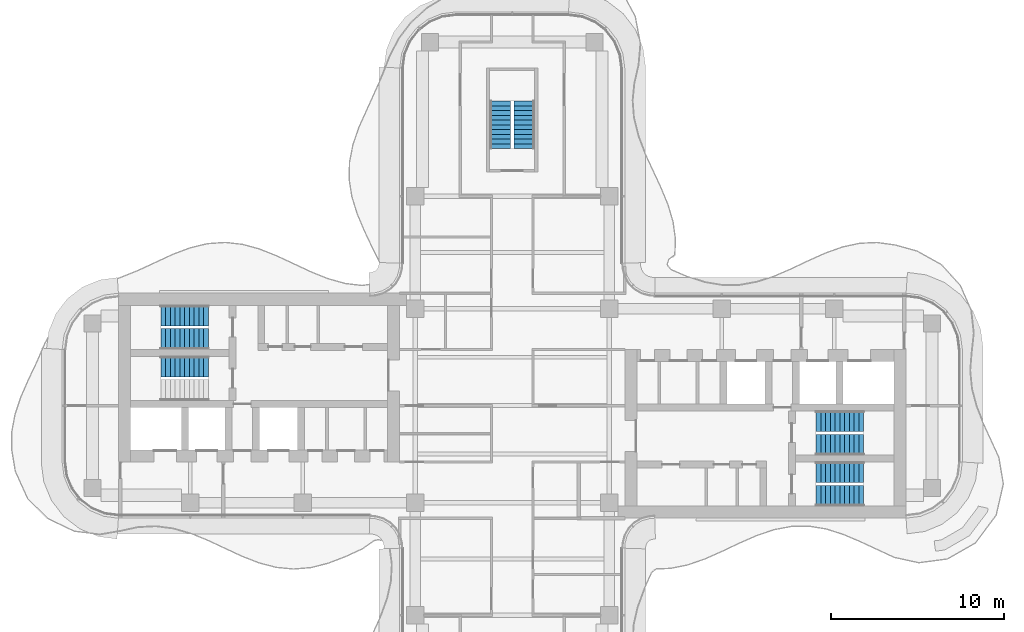
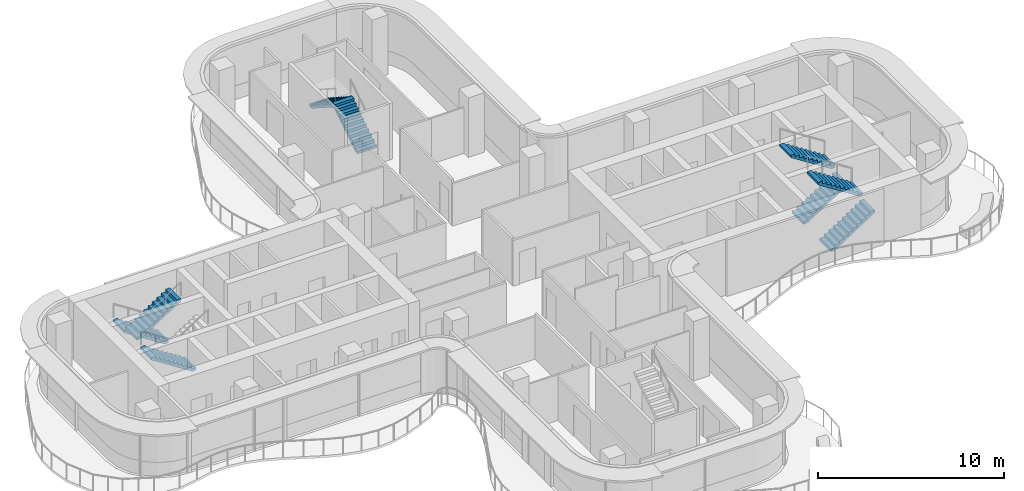
# One storey, part 14 of 16: 9 stair flights, 5 elements without a shape of their own.
"""IFC4 building model written with IfcOpenShell, lengths in metres."""

from ifc_helpers import new_model, si_unit, direction, frame, origin, place, context, subcontext, project, spatial, polyline, outline, extrude, source, transform, mapped, material, type_object, element, aggregate, save


model = new_model("IFC4")

# Units and contexts
model_context = context("Model", 3, precision=1e-05, world=origin(), true_north=direction((0.0, 1.0)))
body_context = subcontext(model_context, "Body", "Model", "MODEL_VIEW")
ifc_project = project(units=[si_unit("LENGTHUNIT", "METRE"), si_unit("AREAUNIT", "SQUARE_METRE"), si_unit("VOLUMEUNIT", "CUBIC_METRE"), si_unit("PLANEANGLEUNIT", "RADIAN"), si_unit("MASSUNIT", "GRAM", prefix="KILO")], contexts=[model_context])

# Site, building, storey
site_placement = place(None, origin())
site = spatial("IfcSite", under=ifc_project, at=site_placement, CompositionType="ELEMENT")
building_placement = place(site_placement, origin())
building = spatial("IfcBuilding", under=site, at=building_placement, Name="Trellis Farm Tower", CompositionType="ELEMENT")
storey_placement = place(building_placement, frame((0.0, 0.0, 298.89990234375)))
storey = spatial("IfcBuildingStorey", under=building, at=storey_placement, Name="L67", CompositionType="ELEMENT", Elevation=298.89990234375)

# Stair, stair flights
ifc_material = material(Name="Concrete C50/60", Category="concrete")
stair_type = type_object("IfcStairType", Name="CORE EXIT STAIR 22 RISERS 177 MM", PredefinedType="HALF_TURN_STAIR", material=ifc_material)
placement = place(storey_placement, origin())
stair_1 = element("IfcStair", 1, at=placement, inside=storey, type_object=stair_type, Name="Exit stair N", PredefinedType="HALF_TURN_STAIR")
stair_flight_type = type_object("IfcStairFlightType", Name="STAIR FLIGHT 11 RISERS 177 MM", PredefinedType="STRAIGHT", material=ifc_material)
shared_shape = source(origin(), body_context, "Body", "SweptSolid", [
    extrude(outline(polyline([(0.0, 0.0), (0.0, 0.17724609375), (0.27490234375, 0.17724609375), (0.27490234375, 0.3544921875), (0.550048828125, 0.3544921875), (0.550048828125, 0.53173828125), (0.824951171875, 0.53173828125), (0.824951171875, 0.708984375), (1.10009765625, 0.708984375), (1.10009765625, 0.886474609375), (1.375, 0.886474609375), (1.375, 1.063720703125), (1.64990234375, 1.063720703125), (1.64990234375, 1.240966796875), (1.925048828125, 1.240966796875), (1.925048828125, 1.418212890625), (2.199951171875, 1.418212890625), (2.199951171875, 1.595458984375), (2.47509765625, 1.595458984375), (2.47509765625, 1.772705078125), (2.75, 1.772705078125), (2.75, 1.949951171875), (2.75, 1.6181640625), (0.23974609375, 0.0), (0.0, 0.0)])), frame((0.0, 0.60009765625, 0.0), z_axis=(0.0, -1.0, 0.0), x_axis=(1.0, 0.0, 0.0)), (0.0, 0.0, 1.0), 1.199951171875),
])
stair_flight_1_placement = place(storey_placement, frame((0.699951171875, 14.85009765625, 0.0), z_axis=(0.0, 0.0, 1.0), x_axis=(0.0, 1.0, 0.0)))
stair_flight_1 = element("IfcStairFlight", 2, at=stair_flight_1_placement, type_object=stair_flight_type, Name="STN flight 1", NumberOfRisers=11, NumberOfTreads=10, PredefinedType="STRAIGHT", RiserHeight=0.177272727, TreadLength=0.275, context=body_context, shape_type="MappedRepresentation", body=[
    mapped(shared_shape, transform((0.0, 0.0, 0.0))),
])
stair_flight_2_placement = place(storey_placement, frame((-0.699951171875, 17.60009765625, 1.9501953125), z_axis=(0.0, 0.0, 1.0), x_axis=(0.0, -1.0, 0.0)))
stair_flight_2 = element("IfcStairFlight", 3, at=stair_flight_2_placement, type_object=stair_flight_type, Name="STN flight 2", NumberOfRisers=11, NumberOfTreads=10, PredefinedType="STRAIGHT", RiserHeight=0.177272727, TreadLength=0.275, context=body_context, shape_type="MappedRepresentation", body=[
    mapped(shared_shape, transform((0.0, 0.0, 0.0))),
])
aggregate(stair_1, [stair_flight_1, stair_flight_2])

stair_2 = element("IfcStair", 4, at=placement, inside=storey, type_object=stair_type, Name="Exit stair E1", PredefinedType="HALF_TURN_STAIR")
stair_flight_3_placement = place(storey_placement, frame((17.550048828125, -5.199951171875, 0.0), z_axis=(0.0, 0.0, 1.0), x_axis=(1.0, 0.0, 0.0)))
stair_flight_3 = element("IfcStairFlight", 5, at=stair_flight_3_placement, type_object=stair_flight_type, Name="STE1 flight 1", NumberOfRisers=11, NumberOfTreads=10, PredefinedType="STRAIGHT", RiserHeight=0.177272727, TreadLength=0.275, context=body_context, shape_type="MappedRepresentation", body=[
    mapped(shared_shape, transform((0.0, 0.0, 0.0))),
])
stair_flight_4_placement = place(storey_placement, frame((20.300048828125, -3.85009765625, 1.9501953125), z_axis=(0.0, 0.0, 1.0), x_axis=(-1.0, 0.0, 0.0)))
stair_flight_4 = element("IfcStairFlight", 6, at=stair_flight_4_placement, type_object=stair_flight_type, Name="STE1 flight 2", NumberOfRisers=11, NumberOfTreads=10, PredefinedType="STRAIGHT", RiserHeight=0.177272727, TreadLength=0.275, context=body_context, shape_type="MappedRepresentation", body=[
    mapped(shared_shape, transform((0.0, 0.0, 0.0))),
])
aggregate(stair_2, [stair_flight_3, stair_flight_4])

stair_3 = element("IfcStair", 7, at=placement, inside=storey, type_object=stair_type, Name="Exit stair E2", PredefinedType="HALF_TURN_STAIR")
stair_flight_5_placement = place(storey_placement, frame((17.550048828125, -2.25, 0.0), z_axis=(0.0, 0.0, 1.0), x_axis=(1.0, 0.0, 0.0)))
stair_flight_5 = element("IfcStairFlight", 8, at=stair_flight_5_placement, type_object=stair_flight_type, Name="STE2 flight 1", NumberOfRisers=11, NumberOfTreads=10, PredefinedType="STRAIGHT", RiserHeight=0.177272727, TreadLength=0.275, context=body_context, shape_type="MappedRepresentation", body=[
    mapped(shared_shape, transform((0.0, 0.0, 0.0))),
])
stair_flight_6_placement = place(storey_placement, frame((20.300048828125, -0.89990234375, 1.9501953125), z_axis=(0.0, 0.0, 1.0), x_axis=(-1.0, 0.0, 0.0)))
stair_flight_6 = element("IfcStairFlight", 9, at=stair_flight_6_placement, type_object=stair_flight_type, Name="STE2 flight 2", NumberOfRisers=11, NumberOfTreads=10, PredefinedType="STRAIGHT", RiserHeight=0.177272727, TreadLength=0.275, context=body_context, shape_type="MappedRepresentation", body=[
    mapped(shared_shape, transform((0.0, 0.0, 0.0))),
])
aggregate(stair_3, [stair_flight_5, stair_flight_6])

stair_4 = element("IfcStair", 10, at=placement, inside=storey, type_object=stair_type, Name="Exit stair W1", PredefinedType="HALF_TURN_STAIR")
stair_flight_7_placement = place(storey_placement, frame((-17.550048828125, 5.199951171875, 0.0), z_axis=(0.0, 0.0, 1.0), x_axis=(-1.0, 0.0, 0.0)))
stair_flight_7 = element("IfcStairFlight", 11, at=stair_flight_7_placement, type_object=stair_flight_type, Name="STW1 flight 1", NumberOfRisers=11, NumberOfTreads=10, PredefinedType="STRAIGHT", RiserHeight=0.177272727, TreadLength=0.275, context=body_context, shape_type="MappedRepresentation", body=[
    mapped(shared_shape, transform((0.0, 0.0, 0.0))),
])
stair_flight_8_placement = place(storey_placement, frame((-20.300048828125, 3.85009765625, 1.9501953125), z_axis=(0.0, 0.0, 1.0), x_axis=(1.0, 0.0, 0.0)))
stair_flight_8 = element("IfcStairFlight", 12, at=stair_flight_8_placement, type_object=stair_flight_type, Name="STW1 flight 2", NumberOfRisers=11, NumberOfTreads=10, PredefinedType="STRAIGHT", RiserHeight=0.177272727, TreadLength=0.275, context=body_context, shape_type="MappedRepresentation", body=[
    mapped(shared_shape, transform((0.0, 0.0, 0.0))),
])
aggregate(stair_4, [stair_flight_7, stair_flight_8])

# Stair, stair flight
stair_5 = element("IfcStair", 13, at=placement, inside=storey, type_object=stair_type, Name="Exit stair W2", PredefinedType="HALF_TURN_STAIR")
stair_flight_9_placement = place(storey_placement, frame((-17.550048828125, 2.25, 0.0), z_axis=(0.0, 0.0, 1.0), x_axis=(-1.0, 0.0, 0.0)))
stair_flight_9 = element("IfcStairFlight", 14, at=stair_flight_9_placement, type_object=stair_flight_type, Name="STW2 flight 1", NumberOfRisers=11, NumberOfTreads=10, PredefinedType="STRAIGHT", RiserHeight=0.177272727, TreadLength=0.275, context=body_context, shape_type="MappedRepresentation", body=[
    mapped(shared_shape, transform((0.0, 0.0, 0.0))),
])
aggregate(stair_5, [stair_flight_9])

save(model, "model.ifc")
